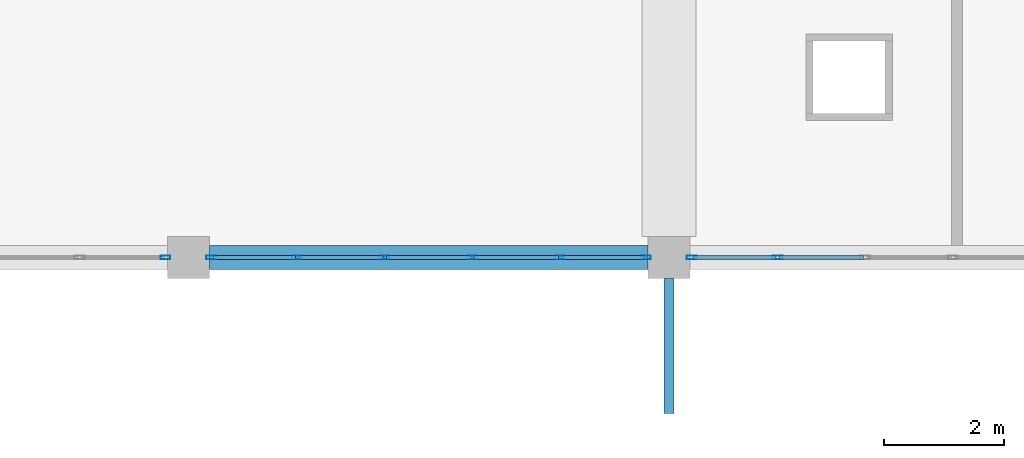
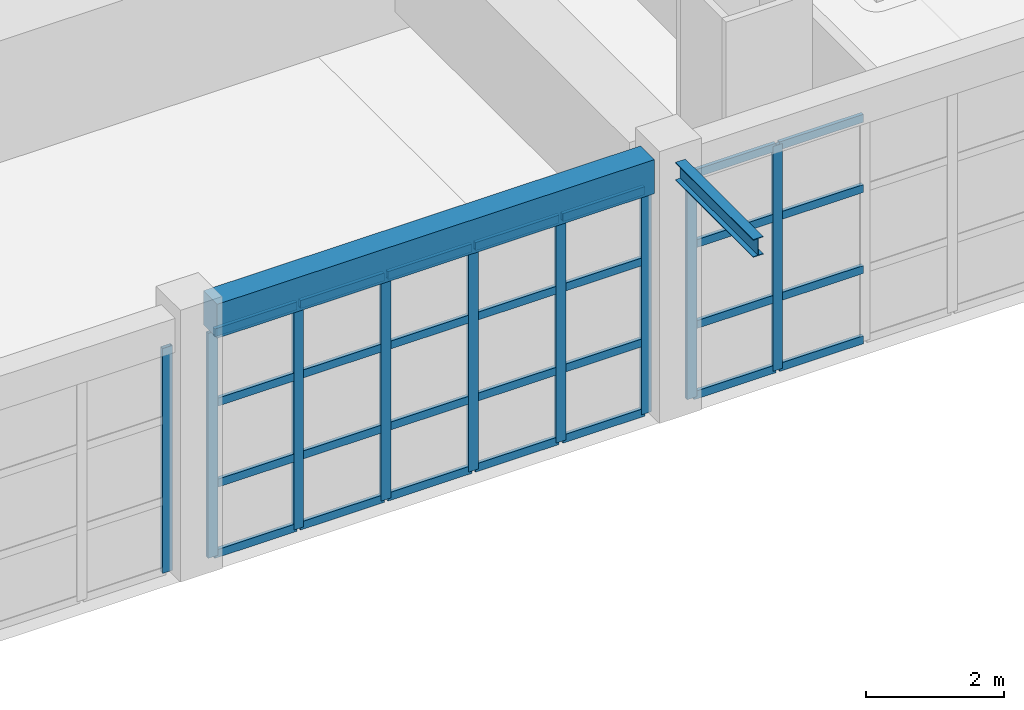
# One storey, part 19 of 50: 37 members, 2 beams, 3 elements without a shape of their own.
"""IFC4 building model written with IfcOpenShell, lengths in metres."""

from ifc_helpers import new_model, si_unit, direction, frame, origin, origin_2d, place, context, subcontext, project, spatial, rectangle, hollow_rectangle, i_section, extrude, material, material_profile, profile_set, type_object, element, aggregate, save


model = new_model("IFC4")

# Units and contexts
model_context = context("Model", 3, precision=1e-05, world=origin(), true_north=direction((0.0, 1.0)))
body_context = subcontext(model_context, "Body", "Model", "MODEL_VIEW")
ifc_project = project(units=[si_unit("LENGTHUNIT", "METRE"), si_unit("AREAUNIT", "SQUARE_METRE"), si_unit("VOLUMEUNIT", "CUBIC_METRE"), si_unit("PLANEANGLEUNIT", "RADIAN"), si_unit("MASSUNIT", "GRAM", prefix="KILO")], contexts=[model_context])

# Site, building, storey
site_placement = place(None, origin())
site = spatial("IfcSite", under=ifc_project, at=site_placement, CompositionType="ELEMENT")
building_placement = place(site_placement, origin())
building = spatial("IfcBuilding", under=site, at=building_placement, Name="Zantavel Square City Hall", CompositionType="ELEMENT")
storey_placement = place(building_placement, frame((0.0, 0.0, 18.89990234375)))
storey = spatial("IfcBuildingStorey", under=building, at=storey_placement, Name="L05", CompositionType="ELEMENT", Elevation=18.89990234375)

# Curtain wall, members
ifc_material_1 = material(Name="Anodised aluminium 6063-T6", Category="aluminium")
curtain_wall_type = type_object("IfcCurtainWallType", Name="Curtain Wall TRV1 7300x3970", PredefinedType="USERDEFINED", material=ifc_material_1)
curtain_wall_1_placement = place(storey_placement, origin())
curtain_wall_1 = element("IfcCurtainWall", 1, at=curtain_wall_1_placement, inside=storey, type_object=curtain_wall_type, Name="L05 Glazed Curtain Wall CW-L05-134", ObjectType="GLAZED CURTAIN WALL", PredefinedType="USERDEFINED")
ifc_material_profile_1 = material_profile(ifc_material_1, hollow_rectangle(XDim=0.06005859375, YDim=0.1650390625, WallThickness=0.00390625, at=origin_2d()), Name="ALU 60x165x4")
ifc_profile_set_1 = profile_set([ifc_material_profile_1], Name="Anodised aluminium 6063-T6")
member_type_1 = type_object("IfcMemberType", Name="CW Council Gallery Mullion ALU 60x165x4", PredefinedType="MULLION", material=ifc_profile_set_1)
member_1_placement = place(storey_placement, frame((97.81005859375, 30.39990234375, 0.0), z_axis=(0.0, 0.0, 1.0), x_axis=(0.0, -1.0, 0.0)))
member_1 = element("IfcMember", 2, at=member_1_placement, type_object=member_type_1, Name="CW-134 mullion 5", PredefinedType="MULLION", context=body_context, shape_type="SweptSolid", body=[
    extrude(hollow_rectangle(XDim=0.06005859375, YDim=0.1650390625, WallThickness=0.00390625, at=origin_2d()), origin(), (0.0, 0.0, 1.0), 3.97021484375),
])
member_2_placement = place(storey_placement, frame((96.3798828125, 30.39990234375, 0.0), z_axis=(0.0, 0.0, 1.0), x_axis=(0.0, -1.0, 0.0)))
member_2 = element("IfcMember", 3, at=member_2_placement, type_object=member_type_1, Name="CW-134 mullion 6", PredefinedType="MULLION", context=body_context, shape_type="SweptSolid", body=[
    extrude(hollow_rectangle(XDim=0.06005859375, YDim=0.1650390625, WallThickness=0.00390625, at=origin_2d()), origin(), (0.0, 0.0, 1.0), 3.97021484375),
])

curtain_wall_2_placement = place(storey_placement, origin())
curtain_wall_2 = element("IfcCurtainWall", 4, at=curtain_wall_2_placement, inside=storey, type_object=curtain_wall_type, Name="L05 Glazed Curtain Wall CW-L05-135", ObjectType="GLAZED CURTAIN WALL", PredefinedType="USERDEFINED")
member_3_placement = place(storey_placement, frame((95.6201171875, 30.39990234375, 0.0), z_axis=(0.0, 0.0, 1.0), x_axis=(0.0, -1.0, 0.0)))
member_3 = element("IfcMember", 5, at=member_3_placement, type_object=member_type_1, Name="CW-135 mullion 1", PredefinedType="MULLION", context=body_context, shape_type="SweptSolid", body=[
    extrude(hollow_rectangle(XDim=0.06005859375, YDim=0.1650390625, WallThickness=0.00390625, at=origin_2d()), origin(), (0.0, 0.0, 1.0), 3.97021484375),
])
member_4_placement = place(storey_placement, frame((94.18994140625, 30.39990234375, 0.0), z_axis=(0.0, 0.0, 1.0), x_axis=(0.0, -1.0, 0.0)))
member_4 = element("IfcMember", 6, at=member_4_placement, type_object=member_type_1, Name="CW-135 mullion 2", PredefinedType="MULLION", context=body_context, shape_type="SweptSolid", body=[
    extrude(hollow_rectangle(XDim=0.06005859375, YDim=0.1650390625, WallThickness=0.00390625, at=origin_2d()), origin(), (0.0, 0.0, 1.0), 3.97021484375),
])
member_5_placement = place(storey_placement, frame((92.72998046875, 30.39990234375, 0.0), z_axis=(0.0, 0.0, 1.0), x_axis=(0.0, -1.0, 0.0)))
member_5 = element("IfcMember", 7, at=member_5_placement, type_object=member_type_1, Name="CW-135 mullion 3", PredefinedType="MULLION", context=body_context, shape_type="SweptSolid", body=[
    extrude(hollow_rectangle(XDim=0.06005859375, YDim=0.1650390625, WallThickness=0.00390625, at=origin_2d()), origin(), (0.0, 0.0, 1.0), 3.97021484375),
])
member_6_placement = place(storey_placement, frame((91.27001953125, 30.39990234375, 0.0), z_axis=(0.0, 0.0, 1.0), x_axis=(0.0, -1.0, 0.0)))
member_6 = element("IfcMember", 8, at=member_6_placement, type_object=member_type_1, Name="CW-135 mullion 4", PredefinedType="MULLION", context=body_context, shape_type="SweptSolid", body=[
    extrude(hollow_rectangle(XDim=0.06005859375, YDim=0.1650390625, WallThickness=0.00390625, at=origin_2d()), origin(), (0.0, 0.0, 1.0), 3.97021484375),
])
member_7_placement = place(storey_placement, frame((89.81005859375, 30.39990234375, 0.0), z_axis=(0.0, 0.0, 1.0), x_axis=(0.0, -1.0, 0.0)))
member_7 = element("IfcMember", 9, at=member_7_placement, type_object=member_type_1, Name="CW-135 mullion 5", PredefinedType="MULLION", context=body_context, shape_type="SweptSolid", body=[
    extrude(hollow_rectangle(XDim=0.06005859375, YDim=0.1650390625, WallThickness=0.00390625, at=origin_2d()), origin(), (0.0, 0.0, 1.0), 3.97021484375),
])
member_8_placement = place(storey_placement, frame((88.3798828125, 30.39990234375, 0.0), z_axis=(0.0, 0.0, 1.0), x_axis=(0.0, -1.0, 0.0)))
member_8 = element("IfcMember", 10, at=member_8_placement, type_object=member_type_1, Name="CW-135 mullion 6", PredefinedType="MULLION", context=body_context, shape_type="SweptSolid", body=[
    extrude(hollow_rectangle(XDim=0.06005859375, YDim=0.1650390625, WallThickness=0.00390625, at=origin_2d()), origin(), (0.0, 0.0, 1.0), 3.97021484375),
])

# Curtain wall, member
curtain_wall_3_placement = place(storey_placement, origin())
curtain_wall_3 = element("IfcCurtainWall", 11, at=curtain_wall_3_placement, inside=storey, type_object=curtain_wall_type, Name="L05 Glazed Curtain Wall CW-L05-136", ObjectType="GLAZED CURTAIN WALL", PredefinedType="USERDEFINED")
member_9_placement = place(storey_placement, frame((87.6201171875, 30.39990234375, 0.0), z_axis=(0.0, 0.0, 1.0), x_axis=(0.0, -1.0, 0.0)))
member_9 = element("IfcMember", 12, at=member_9_placement, type_object=member_type_1, Name="CW-136 mullion 1", PredefinedType="MULLION", context=body_context, shape_type="SweptSolid", body=[
    extrude(hollow_rectangle(XDim=0.06005859375, YDim=0.1650390625, WallThickness=0.00390625, at=origin_2d()), origin(), (0.0, 0.0, 1.0), 3.97021484375),
])
aggregate(curtain_wall_3, [member_9])

# Member
ifc_material_profile_2 = material_profile(ifc_material_1, hollow_rectangle(XDim=0.06005859375, YDim=0.139892578125, WallThickness=0.00390625, at=origin_2d()), Name="ALU 60x140x4")
ifc_profile_set_2 = profile_set([ifc_material_profile_2], Name="Anodised aluminium 6063-T6")
member_type_2 = type_object("IfcMemberType", Name="CW Transom ALU 60x140x4", PredefinedType="USERDEFINED", material=ifc_profile_set_2)
member_10_placement = place(storey_placement, frame((99.239990234375, 30.39990234375, 0.030029296875), z_axis=(-1.0, 0.0, 0.0), x_axis=(0.0, -1.0, 0.0)))
member_10 = element("IfcMember", 13, at=member_10_placement, type_object=member_type_2, Name="CW-134 transom 4.1", ObjectType="TRANSOM", PredefinedType="USERDEFINED", context=body_context, shape_type="SweptSolid", body=[
    extrude(hollow_rectangle(XDim=0.06005859375, YDim=0.139892578125, WallThickness=0.00390625, at=origin_2d()), origin(), (0.0, 0.0, 1.0), 1.39990234375),
])

member_11_placement = place(storey_placement, frame((99.239990234375, 30.39990234375, 1.27001953125), z_axis=(-1.0, 0.0, 0.0), x_axis=(0.0, -1.0, 0.0)))
member_11 = element("IfcMember", 14, at=member_11_placement, type_object=member_type_2, Name="CW-134 transom 4.2", ObjectType="TRANSOM", PredefinedType="USERDEFINED", context=body_context, shape_type="SweptSolid", body=[
    extrude(hollow_rectangle(XDim=0.06005859375, YDim=0.139892578125, WallThickness=0.00390625, at=origin_2d()), origin(), (0.0, 0.0, 1.0), 1.39990234375),
])

member_12_placement = place(storey_placement, frame((99.239990234375, 30.39990234375, 2.7001953125), z_axis=(-1.0, 0.0, 0.0), x_axis=(0.0, -1.0, 0.0)))
member_12 = element("IfcMember", 15, at=member_12_placement, type_object=member_type_2, Name="CW-134 transom 4.3", ObjectType="TRANSOM", PredefinedType="USERDEFINED", context=body_context, shape_type="SweptSolid", body=[
    extrude(hollow_rectangle(XDim=0.06005859375, YDim=0.139892578125, WallThickness=0.00390625, at=origin_2d()), origin(), (0.0, 0.0, 1.0), 1.39990234375),
])

member_13_placement = place(storey_placement, frame((99.239990234375, 30.39990234375, 3.940185546875), z_axis=(-1.0, 0.0, 0.0), x_axis=(0.0, -1.0, 0.0)))
member_13 = element("IfcMember", 16, at=member_13_placement, type_object=member_type_2, Name="CW-134 transom 4.4", ObjectType="TRANSOM", PredefinedType="USERDEFINED", context=body_context, shape_type="SweptSolid", body=[
    extrude(hollow_rectangle(XDim=0.06005859375, YDim=0.139892578125, WallThickness=0.00390625, at=origin_2d()), origin(), (0.0, 0.0, 1.0), 1.39990234375),
])

member_14_placement = place(storey_placement, frame((97.780029296875, 30.39990234375, 0.030029296875), z_axis=(-1.0, 0.0, 0.0), x_axis=(0.0, -1.0, 0.0)))
member_14 = element("IfcMember", 17, at=member_14_placement, type_object=member_type_2, Name="CW-134 transom 5.1", ObjectType="TRANSOM", PredefinedType="USERDEFINED", context=body_context, shape_type="SweptSolid", body=[
    extrude(hollow_rectangle(XDim=0.06005859375, YDim=0.139892578125, WallThickness=0.00390625, at=origin_2d()), origin(), (0.0, 0.0, 1.0), 1.3701171875),
])

member_15_placement = place(storey_placement, frame((97.780029296875, 30.39990234375, 1.27001953125), z_axis=(-1.0, 0.0, 0.0), x_axis=(0.0, -1.0, 0.0)))
member_15 = element("IfcMember", 18, at=member_15_placement, type_object=member_type_2, Name="CW-134 transom 5.2", ObjectType="TRANSOM", PredefinedType="USERDEFINED", context=body_context, shape_type="SweptSolid", body=[
    extrude(hollow_rectangle(XDim=0.06005859375, YDim=0.139892578125, WallThickness=0.00390625, at=origin_2d()), origin(), (0.0, 0.0, 1.0), 1.3701171875),
])

member_16_placement = place(storey_placement, frame((97.780029296875, 30.39990234375, 2.7001953125), z_axis=(-1.0, 0.0, 0.0), x_axis=(0.0, -1.0, 0.0)))
member_16 = element("IfcMember", 19, at=member_16_placement, type_object=member_type_2, Name="CW-134 transom 5.3", ObjectType="TRANSOM", PredefinedType="USERDEFINED", context=body_context, shape_type="SweptSolid", body=[
    extrude(hollow_rectangle(XDim=0.06005859375, YDim=0.139892578125, WallThickness=0.00390625, at=origin_2d()), origin(), (0.0, 0.0, 1.0), 1.3701171875),
])

member_17_placement = place(storey_placement, frame((97.780029296875, 30.39990234375, 3.940185546875), z_axis=(-1.0, 0.0, 0.0), x_axis=(0.0, -1.0, 0.0)))
member_17 = element("IfcMember", 20, at=member_17_placement, type_object=member_type_2, Name="CW-134 transom 5.4", ObjectType="TRANSOM", PredefinedType="USERDEFINED", context=body_context, shape_type="SweptSolid", body=[
    extrude(hollow_rectangle(XDim=0.06005859375, YDim=0.139892578125, WallThickness=0.00390625, at=origin_2d()), origin(), (0.0, 0.0, 1.0), 1.3701171875),
])

aggregate(curtain_wall_1, [member_1, member_2, member_10, member_11, member_12, member_13, member_14, member_15, member_16, member_17])

member_18_placement = place(storey_placement, frame((95.590087890625, 30.39990234375, 0.030029296875), z_axis=(-1.0, 0.0, 0.0), x_axis=(0.0, -1.0, 0.0)))
member_18 = element("IfcMember", 21, at=member_18_placement, type_object=member_type_2, Name="CW-135 transom 1.1", ObjectType="TRANSOM", PredefinedType="USERDEFINED", context=body_context, shape_type="SweptSolid", body=[
    extrude(hollow_rectangle(XDim=0.06005859375, YDim=0.139892578125, WallThickness=0.00390625, at=origin_2d()), origin(), (0.0, 0.0, 1.0), 1.3701171875),
])

member_19_placement = place(storey_placement, frame((95.590087890625, 30.39990234375, 1.27001953125), z_axis=(-1.0, 0.0, 0.0), x_axis=(0.0, -1.0, 0.0)))
member_19 = element("IfcMember", 22, at=member_19_placement, type_object=member_type_2, Name="CW-135 transom 1.2", ObjectType="TRANSOM", PredefinedType="USERDEFINED", context=body_context, shape_type="SweptSolid", body=[
    extrude(hollow_rectangle(XDim=0.06005859375, YDim=0.139892578125, WallThickness=0.00390625, at=origin_2d()), origin(), (0.0, 0.0, 1.0), 1.3701171875),
])

member_20_placement = place(storey_placement, frame((95.590087890625, 30.39990234375, 2.7001953125), z_axis=(-1.0, 0.0, 0.0), x_axis=(0.0, -1.0, 0.0)))
member_20 = element("IfcMember", 23, at=member_20_placement, type_object=member_type_2, Name="CW-135 transom 1.3", ObjectType="TRANSOM", PredefinedType="USERDEFINED", context=body_context, shape_type="SweptSolid", body=[
    extrude(hollow_rectangle(XDim=0.06005859375, YDim=0.139892578125, WallThickness=0.00390625, at=origin_2d()), origin(), (0.0, 0.0, 1.0), 1.3701171875),
])

member_21_placement = place(storey_placement, frame((95.590087890625, 30.39990234375, 3.940185546875), z_axis=(-1.0, 0.0, 0.0), x_axis=(0.0, -1.0, 0.0)))
member_21 = element("IfcMember", 24, at=member_21_placement, type_object=member_type_2, Name="CW-135 transom 1.4", ObjectType="TRANSOM", PredefinedType="USERDEFINED", context=body_context, shape_type="SweptSolid", body=[
    extrude(hollow_rectangle(XDim=0.06005859375, YDim=0.139892578125, WallThickness=0.00390625, at=origin_2d()), origin(), (0.0, 0.0, 1.0), 1.3701171875),
])

member_22_placement = place(storey_placement, frame((94.159912109375, 30.39990234375, 0.030029296875), z_axis=(-1.0, 0.0, 0.0), x_axis=(0.0, -1.0, 0.0)))
member_22 = element("IfcMember", 25, at=member_22_placement, type_object=member_type_2, Name="CW-135 transom 2.1", ObjectType="TRANSOM", PredefinedType="USERDEFINED", context=body_context, shape_type="SweptSolid", body=[
    extrude(hollow_rectangle(XDim=0.06005859375, YDim=0.139892578125, WallThickness=0.00390625, at=origin_2d()), origin(), (0.0, 0.0, 1.0), 1.39990234375),
])

member_23_placement = place(storey_placement, frame((94.159912109375, 30.39990234375, 1.27001953125), z_axis=(-1.0, 0.0, 0.0), x_axis=(0.0, -1.0, 0.0)))
member_23 = element("IfcMember", 26, at=member_23_placement, type_object=member_type_2, Name="CW-135 transom 2.2", ObjectType="TRANSOM", PredefinedType="USERDEFINED", context=body_context, shape_type="SweptSolid", body=[
    extrude(hollow_rectangle(XDim=0.06005859375, YDim=0.139892578125, WallThickness=0.00390625, at=origin_2d()), origin(), (0.0, 0.0, 1.0), 1.39990234375),
])

member_24_placement = place(storey_placement, frame((94.159912109375, 30.39990234375, 2.7001953125), z_axis=(-1.0, 0.0, 0.0), x_axis=(0.0, -1.0, 0.0)))
member_24 = element("IfcMember", 27, at=member_24_placement, type_object=member_type_2, Name="CW-135 transom 2.3", ObjectType="TRANSOM", PredefinedType="USERDEFINED", context=body_context, shape_type="SweptSolid", body=[
    extrude(hollow_rectangle(XDim=0.06005859375, YDim=0.139892578125, WallThickness=0.00390625, at=origin_2d()), origin(), (0.0, 0.0, 1.0), 1.39990234375),
])

member_25_placement = place(storey_placement, frame((94.159912109375, 30.39990234375, 3.940185546875), z_axis=(-1.0, 0.0, 0.0), x_axis=(0.0, -1.0, 0.0)))
member_25 = element("IfcMember", 28, at=member_25_placement, type_object=member_type_2, Name="CW-135 transom 2.4", ObjectType="TRANSOM", PredefinedType="USERDEFINED", context=body_context, shape_type="SweptSolid", body=[
    extrude(hollow_rectangle(XDim=0.06005859375, YDim=0.139892578125, WallThickness=0.00390625, at=origin_2d()), origin(), (0.0, 0.0, 1.0), 1.39990234375),
])

member_26_placement = place(storey_placement, frame((92.699951171875, 30.39990234375, 0.030029296875), z_axis=(-1.0, 0.0, 0.0), x_axis=(0.0, -1.0, 0.0)))
member_26 = element("IfcMember", 29, at=member_26_placement, type_object=member_type_2, Name="CW-135 transom 3.1", ObjectType="TRANSOM", PredefinedType="USERDEFINED", context=body_context, shape_type="SweptSolid", body=[
    extrude(hollow_rectangle(XDim=0.06005859375, YDim=0.139892578125, WallThickness=0.00390625, at=origin_2d()), origin(), (0.0, 0.0, 1.0), 1.39990234375),
])

member_27_placement = place(storey_placement, frame((92.699951171875, 30.39990234375, 1.27001953125), z_axis=(-1.0, 0.0, 0.0), x_axis=(0.0, -1.0, 0.0)))
member_27 = element("IfcMember", 30, at=member_27_placement, type_object=member_type_2, Name="CW-135 transom 3.2", ObjectType="TRANSOM", PredefinedType="USERDEFINED", context=body_context, shape_type="SweptSolid", body=[
    extrude(hollow_rectangle(XDim=0.06005859375, YDim=0.139892578125, WallThickness=0.00390625, at=origin_2d()), origin(), (0.0, 0.0, 1.0), 1.39990234375),
])

member_28_placement = place(storey_placement, frame((92.699951171875, 30.39990234375, 2.7001953125), z_axis=(-1.0, 0.0, 0.0), x_axis=(0.0, -1.0, 0.0)))
member_28 = element("IfcMember", 31, at=member_28_placement, type_object=member_type_2, Name="CW-135 transom 3.3", ObjectType="TRANSOM", PredefinedType="USERDEFINED", context=body_context, shape_type="SweptSolid", body=[
    extrude(hollow_rectangle(XDim=0.06005859375, YDim=0.139892578125, WallThickness=0.00390625, at=origin_2d()), origin(), (0.0, 0.0, 1.0), 1.39990234375),
])

member_29_placement = place(storey_placement, frame((92.699951171875, 30.39990234375, 3.940185546875), z_axis=(-1.0, 0.0, 0.0), x_axis=(0.0, -1.0, 0.0)))
member_29 = element("IfcMember", 32, at=member_29_placement, type_object=member_type_2, Name="CW-135 transom 3.4", ObjectType="TRANSOM", PredefinedType="USERDEFINED", context=body_context, shape_type="SweptSolid", body=[
    extrude(hollow_rectangle(XDim=0.06005859375, YDim=0.139892578125, WallThickness=0.00390625, at=origin_2d()), origin(), (0.0, 0.0, 1.0), 1.39990234375),
])

member_30_placement = place(storey_placement, frame((91.239990234375, 30.39990234375, 0.030029296875), z_axis=(-1.0, 0.0, 0.0), x_axis=(0.0, -1.0, 0.0)))
member_30 = element("IfcMember", 33, at=member_30_placement, type_object=member_type_2, Name="CW-135 transom 4.1", ObjectType="TRANSOM", PredefinedType="USERDEFINED", context=body_context, shape_type="SweptSolid", body=[
    extrude(hollow_rectangle(XDim=0.06005859375, YDim=0.139892578125, WallThickness=0.00390625, at=origin_2d()), origin(), (0.0, 0.0, 1.0), 1.39990234375),
])

member_31_placement = place(storey_placement, frame((91.239990234375, 30.39990234375, 1.27001953125), z_axis=(-1.0, 0.0, 0.0), x_axis=(0.0, -1.0, 0.0)))
member_31 = element("IfcMember", 34, at=member_31_placement, type_object=member_type_2, Name="CW-135 transom 4.2", ObjectType="TRANSOM", PredefinedType="USERDEFINED", context=body_context, shape_type="SweptSolid", body=[
    extrude(hollow_rectangle(XDim=0.06005859375, YDim=0.139892578125, WallThickness=0.00390625, at=origin_2d()), origin(), (0.0, 0.0, 1.0), 1.39990234375),
])

member_32_placement = place(storey_placement, frame((91.239990234375, 30.39990234375, 2.7001953125), z_axis=(-1.0, 0.0, 0.0), x_axis=(0.0, -1.0, 0.0)))
member_32 = element("IfcMember", 35, at=member_32_placement, type_object=member_type_2, Name="CW-135 transom 4.3", ObjectType="TRANSOM", PredefinedType="USERDEFINED", context=body_context, shape_type="SweptSolid", body=[
    extrude(hollow_rectangle(XDim=0.06005859375, YDim=0.139892578125, WallThickness=0.00390625, at=origin_2d()), origin(), (0.0, 0.0, 1.0), 1.39990234375),
])

member_33_placement = place(storey_placement, frame((91.239990234375, 30.39990234375, 3.940185546875), z_axis=(-1.0, 0.0, 0.0), x_axis=(0.0, -1.0, 0.0)))
member_33 = element("IfcMember", 36, at=member_33_placement, type_object=member_type_2, Name="CW-135 transom 4.4", ObjectType="TRANSOM", PredefinedType="USERDEFINED", context=body_context, shape_type="SweptSolid", body=[
    extrude(hollow_rectangle(XDim=0.06005859375, YDim=0.139892578125, WallThickness=0.00390625, at=origin_2d()), origin(), (0.0, 0.0, 1.0), 1.39990234375),
])

member_34_placement = place(storey_placement, frame((89.780029296875, 30.39990234375, 0.030029296875), z_axis=(-1.0, 0.0, 0.0), x_axis=(0.0, -1.0, 0.0)))
member_34 = element("IfcMember", 37, at=member_34_placement, type_object=member_type_2, Name="CW-135 transom 5.1", ObjectType="TRANSOM", PredefinedType="USERDEFINED", context=body_context, shape_type="SweptSolid", body=[
    extrude(hollow_rectangle(XDim=0.06005859375, YDim=0.139892578125, WallThickness=0.00390625, at=origin_2d()), origin(), (0.0, 0.0, 1.0), 1.3701171875),
])

member_35_placement = place(storey_placement, frame((89.780029296875, 30.39990234375, 1.27001953125), z_axis=(-1.0, 0.0, 0.0), x_axis=(0.0, -1.0, 0.0)))
member_35 = element("IfcMember", 38, at=member_35_placement, type_object=member_type_2, Name="CW-135 transom 5.2", ObjectType="TRANSOM", PredefinedType="USERDEFINED", context=body_context, shape_type="SweptSolid", body=[
    extrude(hollow_rectangle(XDim=0.06005859375, YDim=0.139892578125, WallThickness=0.00390625, at=origin_2d()), origin(), (0.0, 0.0, 1.0), 1.3701171875),
])

member_36_placement = place(storey_placement, frame((89.780029296875, 30.39990234375, 2.7001953125), z_axis=(-1.0, 0.0, 0.0), x_axis=(0.0, -1.0, 0.0)))
member_36 = element("IfcMember", 39, at=member_36_placement, type_object=member_type_2, Name="CW-135 transom 5.3", ObjectType="TRANSOM", PredefinedType="USERDEFINED", context=body_context, shape_type="SweptSolid", body=[
    extrude(hollow_rectangle(XDim=0.06005859375, YDim=0.139892578125, WallThickness=0.00390625, at=origin_2d()), origin(), (0.0, 0.0, 1.0), 1.3701171875),
])

member_37_placement = place(storey_placement, frame((89.780029296875, 30.39990234375, 3.940185546875), z_axis=(-1.0, 0.0, 0.0), x_axis=(0.0, -1.0, 0.0)))
member_37 = element("IfcMember", 40, at=member_37_placement, type_object=member_type_2, Name="CW-135 transom 5.4", ObjectType="TRANSOM", PredefinedType="USERDEFINED", context=body_context, shape_type="SweptSolid", body=[
    extrude(hollow_rectangle(XDim=0.06005859375, YDim=0.139892578125, WallThickness=0.00390625, at=origin_2d()), origin(), (0.0, 0.0, 1.0), 1.3701171875),
])

aggregate(curtain_wall_2, [member_3, member_4, member_5, member_6, member_7, member_8, member_18, member_19, member_20, member_21, member_22, member_23, member_24, member_25, member_26, member_27, member_28, member_29, member_30, member_31, member_32, member_33, member_34, member_35, member_36, member_37])

# Beams
ifc_material_2 = material(Name="Concrete C35/45", Category="concrete")
ifc_material_profile_3 = material_profile(ifc_material_2, rectangle(XDim=0.39990234375, YDim=0.60009765625, at=origin_2d()), Name="RC 400x600")
ifc_profile_set_3 = profile_set([ifc_material_profile_3], Name="Concrete C35/45")
beam_type_1 = type_object("IfcBeamType", Name="Perimeter Spandrel RC 400x600 C35/45", PredefinedType="SPANDREL", material=ifc_profile_set_3)
beam_1_placement = place(storey_placement, frame((88.35009765625, 30.39990234375, 4.27001953125), z_axis=(1.0, 0.0, 0.0), x_axis=(0.0, 1.0, 0.0)))
element("IfcBeam", 41, at=beam_1_placement, inside=storey, type_object=beam_type_1, Name="L05 Girder BMX-L05-0880-0304", PredefinedType="SPANDREL", context=body_context, shape_type="SweptSolid", body=[
    extrude(rectangle(XDim=0.39990234375, YDim=0.60009765625, at=origin_2d()), origin(), (0.0, 0.0, 1.0), 7.2998046875),
])
ifc_material_3 = material(Name="Steel ASTM A992 Grade 50", Category="steel")
ifc_material_profile_4 = material_profile(ifc_material_3, i_section(OverallWidth=0.1669921875, OverallDepth=0.31689453125, WebThickness=0.007568359375, FlangeThickness=0.01318359375, at=origin_2d()), Name="W310x52")
ifc_profile_set_4 = profile_set([ifc_material_profile_4], Name="Steel ASTM A992 Grade 50")
beam_type_2 = type_object("IfcBeamType", Name="Tray Corner Cantilever Outrigger W310x52", PredefinedType="BEAM", material=ifc_profile_set_4)
beam_2_placement = place(storey_placement, frame((96.0, 30.050048828125, 4.361572265625), z_axis=(0.0, -1.0, 0.0), x_axis=(1.0, 0.0, 0.0)))
element("IfcBeam", 42, at=beam_2_placement, inside=storey, type_object=beam_type_2, Name="L05 Cantera Tray Outrigger S96", PredefinedType="BEAM", context=body_context, shape_type="SweptSolid", body=[
    extrude(i_section(OverallWidth=0.1669921875, OverallDepth=0.31689453125, WebThickness=0.007568359375, FlangeThickness=0.01318359375, at=origin_2d()), origin(), (0.0, 0.0, 1.0), 2.25),
])

save(model, "model.ifc")
